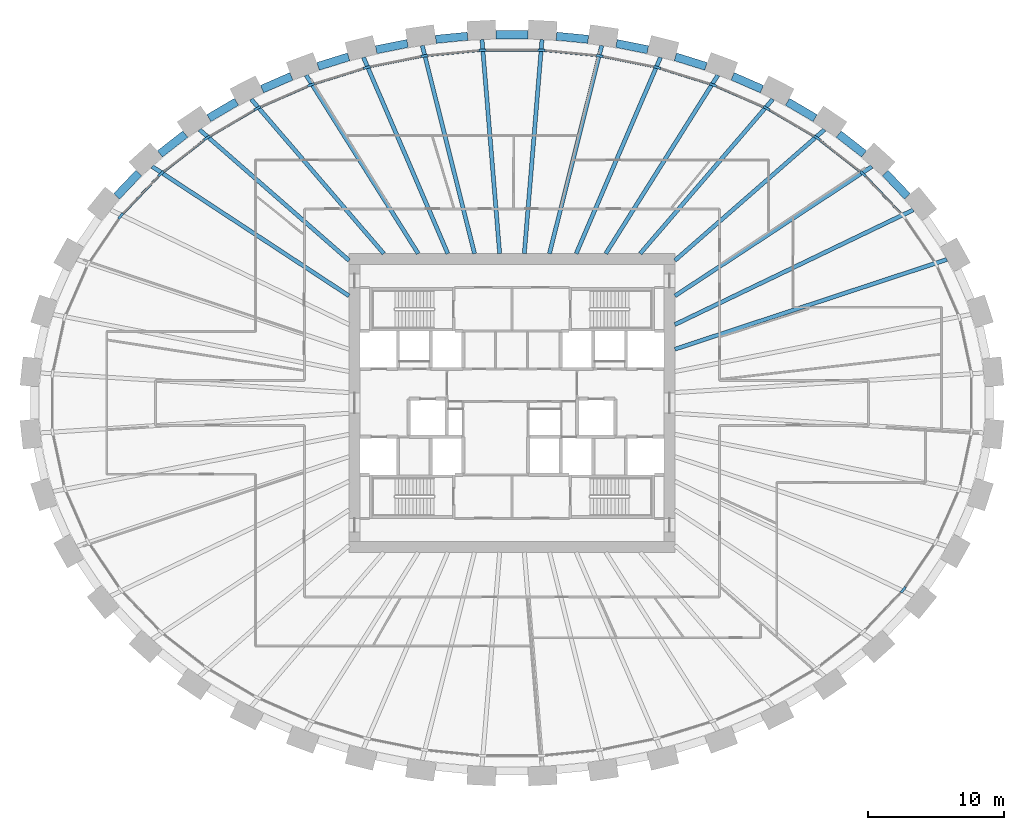
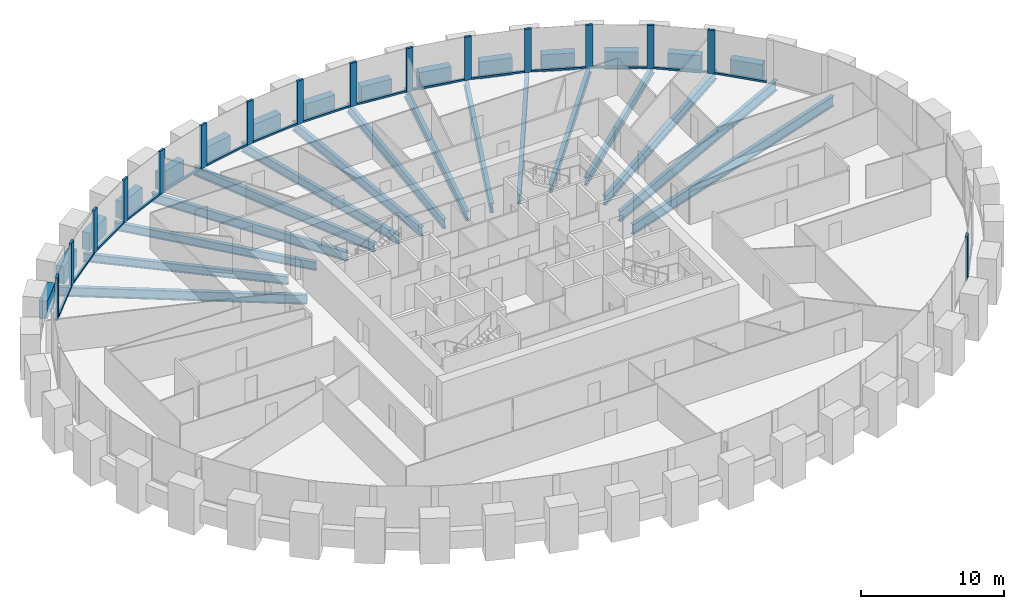
# One storey, part 3 of 11: 31 beams, 31 members, 1 element without a shape of its own.
"""IFC4 building model written with IfcOpenShell, lengths in metres."""

from ifc_helpers import new_model, si_unit, direction, frame, origin, origin_2d, place, context, subcontext, project, spatial, rectangle, i_section, extrude, source, transform, mapped, material, material_profile, profile_set, type_object, element, aggregate, save


model = new_model("IFC4")

# Units and contexts
model_context = context("Model", 3, precision=1e-05, world=origin(), true_north=direction((0.0, 1.0)))
body_context = subcontext(model_context, "Body", "Model", "MODEL_VIEW")
ifc_project = project(units=[si_unit("LENGTHUNIT", "METRE"), si_unit("AREAUNIT", "SQUARE_METRE"), si_unit("VOLUMEUNIT", "CUBIC_METRE"), si_unit("PLANEANGLEUNIT", "RADIAN"), si_unit("MASSUNIT", "GRAM", prefix="KILO")], contexts=[model_context])

# Site, building, storey
site_placement = place(None, origin())
site = spatial("IfcSite", under=ifc_project, at=site_placement, CompositionType="ELEMENT")
building_placement = place(site_placement, origin())
building = spatial("IfcBuilding", under=site, at=building_placement, Name="Embergate Tower", CompositionType="ELEMENT")
storey_placement = place(building_placement, frame((0.0, 0.0, 219.0)))
storey = spatial("IfcBuildingStorey", under=building, at=storey_placement, Name="L50", CompositionType="ELEMENT", Elevation=219.0)

# Beams
ifc_material_1 = material(Name="Concrete C60", Category="concrete")
ifc_material_profile_1 = material_profile(ifc_material_1, rectangle(XDim=0.60009765625, YDim=1.5, at=origin_2d()), Name="RC 600x1500")
ifc_profile_set_1 = profile_set([ifc_material_profile_1], Name="Concrete C60")
beam_type_1 = type_object("IfcBeamType", Name="Spandrel beam RC 600x1500 C60", PredefinedType="BEAM", material=ifc_profile_set_1)
shared_shape_1 = source(origin(), body_context, "Body", "SweptSolid", [
    extrude(rectangle(XDim=0.60009765625, YDim=1.5, at=origin_2d()), origin(), (0.0, 0.0, 1.0), 2.370849609375),
])
for number, where, z_axis, x_axis, name in (
    (1, (29.1240234375, 15.220947265625, 0.0), (-0.690017631866, 0.723792558482, 0.0), (-0.723792558482, -0.690017631866, 0.0), "SPN-L50-03"),
    (2, (-27.488037109375, 16.93701171875, 0.0), (-0.690017631866, -0.723792558482, 0.0), (0.723792558482, -0.690017631866, 0.0), "SPN-L50-17"),
):
    element("IfcBeam", number, at=place(storey_placement, frame(where, z_axis=z_axis, x_axis=x_axis)), inside=storey, type_object=beam_type_1, Name=name, PredefinedType="BEAM", context=body_context, shape_type="MappedRepresentation", body=[
        mapped(shared_shape_1, transform((0.0, 0.0, 0.0))),
    ])
shared_shape_2 = source(origin(), body_context, "Body", "SweptSolid", [
    extrude(rectangle(XDim=0.60009765625, YDim=1.5, at=origin_2d()), origin(), (0.0, 0.0, 1.0), 2.366943359375),
])
for number, where, z_axis, x_axis, name in (
    (3, (25.931884765625, 18.345947265625, 0.0), (-0.788379233054, 0.615189552, 0.0), (-0.615189552, -0.788379233054, 0.0), "SPN-L50-04"),
    (4, (-24.06591796875, 19.802001953125, 0.0), (-0.788379233054, -0.615189552, 0.0), (0.615189552, -0.788379233054, 0.0), "SPN-L50-16"),
):
    element("IfcBeam", number, at=place(storey_placement, frame(where, z_axis=z_axis, x_axis=x_axis)), inside=storey, type_object=beam_type_1, Name=name, PredefinedType="BEAM", context=body_context, shape_type="MappedRepresentation", body=[
        mapped(shared_shape_2, transform((0.0, 0.0, 0.0))),
    ])
shared_shape_3 = source(origin(), body_context, "Body", "SweptSolid", [
    extrude(rectangle(XDim=0.60009765625, YDim=1.5, at=origin_2d()), origin(), (0.0, 0.0, 1.0), 2.36279296875),
])
for number, where, z_axis, x_axis, name in (
    (5, (22.3291015625, 20.98291015625, 0.0), (-0.862170527893, 0.50661818052, 0.0), (-0.50661818052, -0.862170527893, 0.0), "SPN-L50-05"),
    (6, (-20.2919921875, 22.179931640625, 0.0), (-0.862170527893, -0.50661818052, 0.0), (0.50661818052, -0.862170527893, 0.0), "SPN-L50-15"),
):
    element("IfcBeam", number, at=place(storey_placement, frame(where, z_axis=z_axis, x_axis=x_axis)), inside=storey, type_object=beam_type_1, Name=name, PredefinedType="BEAM", context=body_context, shape_type="MappedRepresentation", body=[
        mapped(shared_shape_3, transform((0.0, 0.0, 0.0))),
    ])
shared_shape_4 = source(origin(), body_context, "Body", "SweptSolid", [
    extrude(rectangle(XDim=0.60009765625, YDim=1.5, at=origin_2d()), origin(), (0.0, 0.0, 1.0), 2.357421875),
])
for number, where, z_axis, x_axis, name in (
    (7, (18.4130859375, 23.116943359375, 0.0), (-0.91630938503, 0.400471111201, 0.0), (-0.400471111201, -0.91630938503, 0.0), "SPN-L50-06"),
    (8, (-16.2529296875, 24.06103515625, 0.0), (-0.91630938503, -0.400471111201, 0.0), (0.400471111201, -0.91630938503, 0.0), "SPN-L50-14"),
):
    element("IfcBeam", number, at=place(storey_placement, frame(where, z_axis=z_axis, x_axis=x_axis)), inside=storey, type_object=beam_type_1, Name=name, PredefinedType="BEAM", context=body_context, shape_type="MappedRepresentation", body=[
        mapped(shared_shape_4, transform((0.0, 0.0, 0.0))),
    ])
shared_shape_5 = source(origin(), body_context, "Body", "SweptSolid", [
    extrude(rectangle(XDim=0.60009765625, YDim=1.5, at=origin_2d()), origin(), (0.0, 0.0, 1.0), 2.3564453125),
])
for number, where, z_axis, x_axis, name in (
    (9, (14.285888671875, 24.7958984375, 0.0), (-0.95483326256, 0.297142122073, 0.0), (-0.297142122073, -0.95483326256, 0.0), "SPN-L50-07"),
    (10, (-12.035888671875, 25.49609375, 0.0), (-0.95483326256, -0.297142122073, 0.0), (0.297142122073, -0.95483326256, 0.0), "SPN-L50-13"),
):
    element("IfcBeam", number, at=place(storey_placement, frame(where, z_axis=z_axis, x_axis=x_axis)), inside=storey, type_object=beam_type_1, Name=name, PredefinedType="BEAM", context=body_context, shape_type="MappedRepresentation", body=[
        mapped(shared_shape_5, transform((0.0, 0.0, 0.0))),
    ])
shared_shape_6 = source(origin(), body_context, "Body", "SweptSolid", [
    extrude(rectangle(XDim=0.60009765625, YDim=1.5, at=origin_2d()), origin(), (0.0, 0.0, 1.0), 2.353515625),
])
for number, where, z_axis, x_axis, name in (
    (11, (10.0009765625, 26.01611328125, 0.0), (-0.980552738639, 0.196255768698, 0.0), (-0.196255768698, -0.980552738639, 0.0), "SPN-L50-08"),
    (12, (-7.693115234375, 26.47802734375, 0.0), (-0.980552738639, -0.196255768698, 0.0), (0.196255768698, -0.980552738639, 0.0), "SPN-L50-12"),
):
    element("IfcBeam", number, at=place(storey_placement, frame(where, z_axis=z_axis, x_axis=x_axis)), inside=storey, type_object=beam_type_1, Name=name, PredefinedType="BEAM", context=body_context, shape_type="MappedRepresentation", body=[
        mapped(shared_shape_6, transform((0.0, 0.0, 0.0))),
    ])
shared_shape_7 = source(origin(), body_context, "Body", "SweptSolid", [
    extrude(rectangle(XDim=0.60009765625, YDim=1.5, at=origin_2d()), origin(), (0.0, 0.0, 1.0), 2.353271484375),
])
for number, where, z_axis, x_axis, name in (
    (13, (5.615966796875, 26.7880859375, 0.0), (-0.99521330308, 0.097726564318, 0.0), (-0.097726564318, -0.99521330308, 0.0), "SPN-L50-09"),
    (14, (-3.27392578125, 27.01806640625, 0.0), (-0.99521330308, -0.097726564318, 0.0), (0.097726564318, -0.99521330308, 0.0), "SPN-L50-11"),
):
    element("IfcBeam", number, at=place(storey_placement, frame(where, z_axis=z_axis, x_axis=x_axis)), inside=storey, type_object=beam_type_1, Name=name, PredefinedType="BEAM", context=body_context, shape_type="MappedRepresentation", body=[
        mapped(shared_shape_7, transform((0.0, 0.0, 0.0))),
    ])
shared_shape_8 = source(origin(), body_context, "Body", "SweptSolid", [
    extrude(rectangle(XDim=0.60009765625, YDim=1.5, at=origin_2d()), origin(), (0.0, 0.0, 1.0), 2.35205078125),
])
beam_1_placement = place(storey_placement, frame((1.176025390625, 27.12109375, 0.0), z_axis=(-1.0, 0.0, 0.0), x_axis=(0.0, -1.0, 0.0)))
element("IfcBeam", 15, at=beam_1_placement, inside=storey, type_object=beam_type_1, Name="SPN-L50-10", PredefinedType="BEAM", context=body_context, shape_type="MappedRepresentation", body=[
    mapped(shared_shape_8, transform((0.0, 0.0, 0.0))),
])
ifc_material_2 = material(Name="Steel Q355B", Category="steel")
ifc_material_profile_2 = material_profile(ifc_material_2, i_section(OverallWidth=0.300048828125, OverallDepth=0.89990234375, WebThickness=0.01611328125, FlangeThickness=0.028076171875, FilletRadius=0.028076171875, at=origin_2d()), Name="HN 900x300x16x28")
ifc_profile_set_2 = profile_set([ifc_material_profile_2], Name="Steel Q355 grade B")
beam_type_2 = type_object("IfcBeamType", Name="Radial girder HN 900x300x16x28", PredefinedType="BEAM", material=ifc_profile_set_2)
shared_shape_9 = source(origin(), body_context, "Body", "SweptSolid", [
    extrude(i_section(OverallWidth=0.300048828125, OverallDepth=0.89990234375, WebThickness=0.01611328125, FlangeThickness=0.028076171875, FilletRadius=0.028076171875, at=origin_2d()), origin(), (0.0, 0.0, 1.0), 21.100341796875),
])
beam_2_placement = place(storey_placement, frame((32.0390625, 10.56591796875, -0.64990234375), z_axis=(-0.949698867802, -0.313164590106, 0.0), x_axis=(0.313164590106, -0.949698867802, 0.0)))
element("IfcBeam", 16, at=beam_2_placement, inside=storey, type_object=beam_type_2, Name="GIR-L50-02", PredefinedType="BEAM", context=body_context, shape_type="MappedRepresentation", body=[
    mapped(shared_shape_9, transform((0.0, 0.0, 0.0))),
])
shared_shape_10 = source(origin(), body_context, "Body", "SweptSolid", [
    extrude(i_section(OverallWidth=0.300048828125, OverallDepth=0.89990234375, WebThickness=0.01611328125, FlangeThickness=0.028076171875, FilletRadius=0.028076171875, at=origin_2d()), origin(), (0.0, 0.0, 1.0), 19.480712890625),
])
beam_3_placement = place(storey_placement, frame((29.554931640625, 14.218017578125, -0.64990234375), z_axis=(-0.901148212086, -0.433511130023, 0.0), x_axis=(0.433511130023, -0.901148212086, 0.0)))
element("IfcBeam", 17, at=beam_3_placement, inside=storey, type_object=beam_type_2, Name="GIR-L50-03", PredefinedType="BEAM", context=body_context, shape_type="MappedRepresentation", body=[
    mapped(shared_shape_10, transform((0.0, 0.0, 0.0))),
])
ifc_material_profile_3 = material_profile(ifc_material_2, i_section(OverallWidth=0.300048828125, OverallDepth=0.800048828125, WebThickness=0.013916015625, FlangeThickness=0.02587890625, FilletRadius=0.028076171875, at=origin_2d()), Name="HN 800x300x14x26")
ifc_profile_set_3 = profile_set([ifc_material_profile_3], Name="Steel Q355 grade B")
beam_type_3 = type_object("IfcBeamType", Name="Radial girder HN 800x300x14x26", PredefinedType="BEAM", material=ifc_profile_set_3)
shared_shape_11 = source(origin(), body_context, "Body", "SweptSolid", [
    extrude(i_section(OverallWidth=0.300048828125, OverallDepth=0.800048828125, WebThickness=0.013916015625, FlangeThickness=0.02587890625, FilletRadius=0.028076171875, at=origin_2d()), origin(), (0.0, 0.0, 1.0), 17.3583984375),
])
for number, where, z_axis, x_axis, name in (
    (18, (26.507080078125, 17.416015625, -0.60009765625), (-0.835738306524, -0.549127929547, 0.0), (0.549127929547, -0.835738306524, 0.0), "GIR-L50-04"),
    (19, (-26.507080078125, 17.416015625, -0.60009765625), (0.835738306524, -0.549127929547, 0.0), (0.549127929547, 0.835738306524, 0.0), "GIR-L50-17"),
):
    element("IfcBeam", number, at=place(storey_placement, frame(where, z_axis=z_axis, x_axis=x_axis)), inside=storey, type_object=beam_type_3, Name=name, PredefinedType="BEAM", context=body_context, shape_type="MappedRepresentation", body=[
        mapped(shared_shape_11, transform((0.0, 0.0, 0.0))),
    ])
ifc_material_profile_4 = material_profile(ifc_material_2, i_section(OverallWidth=0.300048828125, OverallDepth=0.699951171875, WebThickness=0.012939453125, FlangeThickness=0.02392578125, FilletRadius=0.01806640625, at=origin_2d()), Name="HN 700x300x13x24")
ifc_profile_set_4 = profile_set([ifc_material_profile_4], Name="Steel Q355 grade B")
beam_type_4 = type_object("IfcBeamType", Name="Radial girder HN 700x300x13x24", PredefinedType="BEAM", material=ifc_profile_set_4)
shared_shape_12 = source(origin(), body_context, "Body", "SweptSolid", [
    extrude(i_section(OverallWidth=0.300048828125, OverallDepth=0.699951171875, WebThickness=0.012939453125, FlangeThickness=0.02392578125, FilletRadius=0.01806640625, at=origin_2d()), origin(), (0.0, 0.0, 1.0), 14.643798828125),
])
for number, where, z_axis, x_axis, name in (
    (20, (23.02294921875, 20.134033203125, -0.550048828125), (-0.752743981282, -0.658313374195, 0.0), (0.658313374195, -0.752743981282, 0.0), "GIR-L50-05"),
    (21, (-23.02294921875, 20.134033203125, -0.550048828125), (0.752743981282, -0.658313374195, 0.0), (0.658313374195, 0.752743981282, 0.0), "GIR-L50-16"),
):
    element("IfcBeam", number, at=place(storey_placement, frame(where, z_axis=z_axis, x_axis=x_axis)), inside=storey, type_object=beam_type_4, Name=name, PredefinedType="BEAM", context=body_context, shape_type="MappedRepresentation", body=[
        mapped(shared_shape_12, transform((0.0, 0.0, 0.0))),
    ])
shared_shape_13 = source(origin(), body_context, "Body", "SweptSolid", [
    extrude(i_section(OverallWidth=0.300048828125, OverallDepth=0.699951171875, WebThickness=0.012939453125, FlangeThickness=0.02392578125, FilletRadius=0.01806640625, at=origin_2d()), origin(), (0.0, 0.0, 1.0), 14.991943359375),
])
for number, where, z_axis, x_axis, name in (
    (22, (19.212890625, 22.3740234375, -0.550048828125), (-0.651471048315, -0.758673495785, 0.0), (0.758673495785, -0.651471048315, 0.0), "GIR-L50-06"),
    (23, (-19.212890625, 22.3740234375, -0.550048828125), (0.651471048315, -0.758673495785, 0.0), (0.758673495785, 0.651471048315, 0.0), "GIR-L50-15"),
):
    element("IfcBeam", number, at=place(storey_placement, frame(where, z_axis=z_axis, x_axis=x_axis)), inside=storey, type_object=beam_type_4, Name=name, PredefinedType="BEAM", context=body_context, shape_type="MappedRepresentation", body=[
        mapped(shared_shape_13, transform((0.0, 0.0, 0.0))),
    ])
shared_shape_14 = source(origin(), body_context, "Body", "SweptSolid", [
    extrude(i_section(OverallWidth=0.300048828125, OverallDepth=0.800048828125, WebThickness=0.013916015625, FlangeThickness=0.02587890625, FilletRadius=0.028076171875, at=origin_2d()), origin(), (0.0, 0.0, 1.0), 15.522216796875),
])
for number, where, z_axis, x_axis, name in (
    (24, (15.1640625, 24.14501953125, -0.60009765625), (-0.531827158809, -0.846852922976, 0.0), (0.846852922976, -0.531827158809, 0.0), "GIR-L50-07"),
    (25, (-15.1640625, 24.14501953125, -0.60009765625), (0.531827158809, -0.846852922976, 0.0), (0.846852922976, 0.531827158809, 0.0), "GIR-L50-14"),
):
    element("IfcBeam", number, at=place(storey_placement, frame(where, z_axis=z_axis, x_axis=x_axis)), inside=storey, type_object=beam_type_3, Name=name, PredefinedType="BEAM", context=body_context, shape_type="MappedRepresentation", body=[
        mapped(shared_shape_14, transform((0.0, 0.0, 0.0))),
    ])
shared_shape_15 = source(origin(), body_context, "Body", "SweptSolid", [
    extrude(i_section(OverallWidth=0.300048828125, OverallDepth=0.800048828125, WebThickness=0.013916015625, FlangeThickness=0.02587890625, FilletRadius=0.028076171875, at=origin_2d()), origin(), (0.0, 0.0, 1.0), 15.739013671875),
])
for number, where, z_axis, x_axis, name in (
    (26, (10.943115234375, 25.4599609375, -0.60009765625), (-0.394883218824, -0.918731322799, 0.0), (0.918731322799, -0.394883218824, 0.0), "GIR-L50-08"),
    (27, (-10.943115234375, 25.4599609375, -0.60009765625), (0.394883218824, -0.918731322799, 0.0), (0.918731322799, 0.394883218824, 0.0), "GIR-L50-13"),
):
    element("IfcBeam", number, at=place(storey_placement, frame(where, z_axis=z_axis, x_axis=x_axis)), inside=storey, type_object=beam_type_3, Name=name, PredefinedType="BEAM", context=body_context, shape_type="MappedRepresentation", body=[
        mapped(shared_shape_15, transform((0.0, 0.0, 0.0))),
    ])
shared_shape_16 = source(origin(), body_context, "Body", "SweptSolid", [
    extrude(i_section(OverallWidth=0.300048828125, OverallDepth=0.800048828125, WebThickness=0.013916015625, FlangeThickness=0.02587890625, FilletRadius=0.028076171875, at=origin_2d()), origin(), (0.0, 0.0, 1.0), 15.8046875),
])
for number, where, z_axis, x_axis, name in (
    (28, (6.60888671875, 26.3291015625, -0.60009765625), (-0.243465990326, -0.969909434718, 0.0), (0.969909434718, -0.243465990326, 0.0), "GIR-L50-09"),
    (29, (-6.60888671875, 26.3291015625, -0.60009765625), (0.243465990326, -0.969909434718, 0.0), (0.969909434718, 0.243465990326, 0.0), "GIR-L50-12"),
):
    element("IfcBeam", number, at=place(storey_placement, frame(where, z_axis=z_axis, x_axis=x_axis)), inside=storey, type_object=beam_type_3, Name=name, PredefinedType="BEAM", context=body_context, shape_type="MappedRepresentation", body=[
        mapped(shared_shape_16, transform((0.0, 0.0, 0.0))),
    ])
shared_shape_17 = source(origin(), body_context, "Body", "SweptSolid", [
    extrude(i_section(OverallWidth=0.300048828125, OverallDepth=0.800048828125, WebThickness=0.013916015625, FlangeThickness=0.02587890625, FilletRadius=0.028076171875, at=origin_2d()), origin(), (0.0, 0.0, 1.0), 15.814697265625),
])
for number, where, z_axis, x_axis, name in (
    (30, (2.2099609375, 26.760986328125, -0.60009765625), (-0.082328727809, -0.99660522805, 0.0), (0.99660522805, -0.082328727809, 0.0), "GIR-L50-10"),
    (31, (-2.2099609375, 26.760986328125, -0.60009765625), (0.082328727809, -0.99660522805, 0.0), (0.99660522805, 0.082328727809, 0.0), "GIR-L50-11"),
):
    element("IfcBeam", number, at=place(storey_placement, frame(where, z_axis=z_axis, x_axis=x_axis)), inside=storey, type_object=beam_type_3, Name=name, PredefinedType="BEAM", context=body_context, shape_type="MappedRepresentation", body=[
        mapped(shared_shape_17, transform((0.0, 0.0, 0.0))),
    ])

# Curtain wall, members
ifc_material_3 = material(Name="Aluminium and glass", Category="aluminium")
curtain_wall_type = type_object("IfcCurtainWallType", Name="Recessed office glazing", PredefinedType="NOTDEFINED", material=ifc_material_3)
curtain_wall_placement = place(storey_placement, origin())
curtain_wall = element("IfcCurtainWall", 32, at=curtain_wall_placement, inside=storey, type_object=curtain_wall_type, Name="Recessed office glazing ring", ObjectType="RECESSED OFFICE GLAZING", PredefinedType="USERDEFINED")
ifc_material_4 = material(Name="Aluminium, thermally broken", Category="aluminium")
ifc_material_profile_5 = material_profile(ifc_material_4, rectangle(XDim=0.179931640625, YDim=0.52001953125, at=origin_2d()), Name="AL 520x180")
ifc_profile_set_5 = profile_set([ifc_material_profile_5], Name="Aluminium, thermally broken")
member_type_1 = type_object("IfcMemberType", Name="Office mullion", PredefinedType="MULLION", material=ifc_profile_set_5)
shared_shape_18 = source(origin(), body_context, "Body", "SweptSolid", [
    extrude(rectangle(XDim=0.179931640625, YDim=0.52001953125, at=origin_2d()), origin(), (0.0, 0.0, 1.0), 3.699951171875),
])
member_1_placement = place(storey_placement, frame((25.86279296875, 16.87451171875, 0.0), z_axis=(0.0, 0.0, 1.0), x_axis=(-0.671227827685, -0.741251106806, 0.0)))
member_1 = element("IfcMember", 33, at=member_1_placement, type_object=member_type_1, Name="CW mullion 5", PredefinedType="MULLION", context=body_context, shape_type="MappedRepresentation", body=[
    mapped(shared_shape_18, transform((0.0, 0.0, 0.0))),
])
member_2_placement = place(storey_placement, frame((22.472412109375, 19.520751953125, 0.0), z_axis=(0.0, 0.0, 1.0), x_axis=(-0.562219061911, -0.826988347211, 0.0)))
member_2 = element("IfcMember", 34, at=member_2_placement, type_object=member_type_1, Name="CW mullion 6", PredefinedType="MULLION", context=body_context, shape_type="MappedRepresentation", body=[
    mapped(shared_shape_18, transform((0.0, 0.0, 0.0))),
])
member_3_placement = place(storey_placement, frame((18.759521484375, 21.70361328125, 0.0), z_axis=(0.0, 0.0, 1.0), x_axis=(-0.454512935162, -0.89074013706, 0.0)))
member_3 = element("IfcMember", 35, at=member_3_placement, type_object=member_type_1, Name="CW mullion 7", PredefinedType="MULLION", context=body_context, shape_type="MappedRepresentation", body=[
    mapped(shared_shape_18, transform((0.0, 0.0, 0.0))),
])
member_4_placement = place(storey_placement, frame((14.80908203125, 23.430908203125, 0.0), z_axis=(0.0, 0.0, 1.0), x_axis=(-0.349504318111, -0.93693475313, 0.0)))
member_4 = element("IfcMember", 36, at=member_4_placement, type_object=member_type_1, Name="CW mullion 8", PredefinedType="MULLION", context=body_context, shape_type="MappedRepresentation", body=[
    mapped(shared_shape_18, transform((0.0, 0.0, 0.0))),
])
member_5_placement = place(storey_placement, frame((10.689453125, 24.7138671875, 0.0), z_axis=(0.0, 0.0, 1.0), x_axis=(-0.247313572481, -0.968935496752, 0.0)))
member_5 = element("IfcMember", 37, at=member_5_placement, type_object=member_type_1, Name="CW mullion 9", PredefinedType="MULLION", context=body_context, shape_type="MappedRepresentation", body=[
    mapped(shared_shape_18, transform((0.0, 0.0, 0.0))),
])
member_6_placement = place(storey_placement, frame((6.456787109375, 25.562744140625, 0.0), z_axis=(0.0, 0.0, 1.0), x_axis=(-0.14741410908, -0.98907486089, 0.0)))
member_6 = element("IfcMember", 38, at=member_6_placement, type_object=member_type_1, Name="CW mullion 10", PredefinedType="MULLION", context=body_context, shape_type="MappedRepresentation", body=[
    mapped(shared_shape_18, transform((0.0, 0.0, 0.0))),
])
member_7_placement = place(storey_placement, frame((2.1591796875, 25.9853515625, 0.0), z_axis=(0.0, 0.0, 1.0), x_axis=(-0.048971796621, -0.998800161762, 0.0)))
member_7 = element("IfcMember", 39, at=member_7_placement, type_object=member_type_1, Name="CW mullion 11", PredefinedType="MULLION", context=body_context, shape_type="MappedRepresentation", body=[
    mapped(shared_shape_18, transform((0.0, 0.0, 0.0))),
])
member_8_placement = place(storey_placement, frame((-2.1591796875, 25.9853515625, 0.0), z_axis=(0.0, 0.0, 1.0), x_axis=(0.048971796621, -0.998800161762, 0.0)))
member_8 = element("IfcMember", 40, at=member_8_placement, type_object=member_type_1, Name="CW mullion 12", PredefinedType="MULLION", context=body_context, shape_type="MappedRepresentation", body=[
    mapped(shared_shape_18, transform((0.0, 0.0, 0.0))),
])
member_9_placement = place(storey_placement, frame((-6.456787109375, 25.562744140625, 0.0), z_axis=(0.0, 0.0, 1.0), x_axis=(0.14741410908, -0.98907486089, 0.0)))
member_9 = element("IfcMember", 41, at=member_9_placement, type_object=member_type_1, Name="CW mullion 13", PredefinedType="MULLION", context=body_context, shape_type="MappedRepresentation", body=[
    mapped(shared_shape_18, transform((0.0, 0.0, 0.0))),
])
member_10_placement = place(storey_placement, frame((-10.689453125, 24.7138671875, 0.0), z_axis=(0.0, 0.0, 1.0), x_axis=(0.247313572481, -0.968935496752, 0.0)))
member_10 = element("IfcMember", 42, at=member_10_placement, type_object=member_type_1, Name="CW mullion 14", PredefinedType="MULLION", context=body_context, shape_type="MappedRepresentation", body=[
    mapped(shared_shape_18, transform((0.0, 0.0, 0.0))),
])
member_11_placement = place(storey_placement, frame((-14.80908203125, 23.430908203125, 0.0), z_axis=(0.0, 0.0, 1.0), x_axis=(0.349504318111, -0.93693475313, 0.0)))
member_11 = element("IfcMember", 43, at=member_11_placement, type_object=member_type_1, Name="CW mullion 15", PredefinedType="MULLION", context=body_context, shape_type="MappedRepresentation", body=[
    mapped(shared_shape_18, transform((0.0, 0.0, 0.0))),
])
member_12_placement = place(storey_placement, frame((-18.759521484375, 21.70361328125, 0.0), z_axis=(0.0, 0.0, 1.0), x_axis=(0.454512935162, -0.89074013706, 0.0)))
member_12 = element("IfcMember", 44, at=member_12_placement, type_object=member_type_1, Name="CW mullion 16", PredefinedType="MULLION", context=body_context, shape_type="MappedRepresentation", body=[
    mapped(shared_shape_18, transform((0.0, 0.0, 0.0))),
])
member_13_placement = place(storey_placement, frame((-22.472412109375, 19.520751953125, 0.0), z_axis=(0.0, 0.0, 1.0), x_axis=(0.562219061911, -0.826988347211, 0.0)))
member_13 = element("IfcMember", 45, at=member_13_placement, type_object=member_type_1, Name="CW mullion 17", PredefinedType="MULLION", context=body_context, shape_type="MappedRepresentation", body=[
    mapped(shared_shape_18, transform((0.0, 0.0, 0.0))),
])
member_14_placement = place(storey_placement, frame((-25.86279296875, 16.87451171875, 0.0), z_axis=(0.0, 0.0, 1.0), x_axis=(0.671227827685, -0.741251106806, 0.0)))
member_14 = element("IfcMember", 46, at=member_14_placement, type_object=member_type_1, Name="CW mullion 18", PredefinedType="MULLION", context=body_context, shape_type="MappedRepresentation", body=[
    mapped(shared_shape_18, transform((0.0, 0.0, 0.0))),
])
member_15_placement = place(storey_placement, frame((-28.826171875, 13.76708984375, 0.0), z_axis=(0.0, 0.0, 1.0), x_axis=(0.777872564355, -0.628422050555, 0.0)))
member_15 = element("IfcMember", 47, at=member_15_placement, type_object=member_type_1, Name="CW mullion 19", PredefinedType="MULLION", context=body_context, shape_type="MappedRepresentation", body=[
    mapped(shared_shape_18, transform((0.0, 0.0, 0.0))),
])
member_16_placement = place(storey_placement, frame((28.826171875, -13.76708984375, 0.0), z_axis=(0.0, 0.0, 1.0), x_axis=(-0.777872564355, 0.628422050555, 0.0)))
member_16 = element("IfcMember", 48, at=member_16_placement, type_object=member_type_1, Name="CW mullion 41", PredefinedType="MULLION", context=body_context, shape_type="MappedRepresentation", body=[
    mapped(shared_shape_18, transform((0.0, 0.0, 0.0))),
])
ifc_material_profile_6 = material_profile(ifc_material_4, rectangle(XDim=0.179931640625, YDim=0.14990234375, at=origin_2d()), Name="AL 150x180")
ifc_profile_set_6 = profile_set([ifc_material_profile_6], Name="Aluminium, thermally broken")
member_type_2 = type_object("IfcMemberType", Name="Office sill transom", PredefinedType="USERDEFINED", material=ifc_profile_set_6)
shared_shape_19 = source(origin(), body_context, "Body", "SweptSolid", [
    extrude(rectangle(XDim=0.179931640625, YDim=0.14990234375, at=origin_2d()), origin(), (0.0, 0.0, 1.0), 3.773681640625),
])
member_17_placement = place(storey_placement, frame((28.646484375, 13.955322265625, 0.074951171875), z_axis=(-0.690118677227, 0.723696214818, 0.0), x_axis=(-0.723696214818, -0.690118677227, 0.0)))
member_17 = element("IfcMember", 49, at=member_17_placement, type_object=member_type_2, Name="CW transom 4.1", ObjectType="TRANSOM", PredefinedType="USERDEFINED", context=body_context, shape_type="MappedRepresentation", body=[
    mapped(shared_shape_19, transform((0.0, 0.0, 0.0))),
])
member_18_placement = place(storey_placement, frame((-26.042236328125, 16.686279296875, 0.074951171875), z_axis=(-0.690118677227, -0.723696214818, 0.0), x_axis=(0.723696214818, -0.690118677227, 0.0)))
member_18 = element("IfcMember", 50, at=member_18_placement, type_object=member_type_2, Name="CW transom 18.1", ObjectType="TRANSOM", PredefinedType="USERDEFINED", context=body_context, shape_type="MappedRepresentation", body=[
    mapped(shared_shape_19, transform((0.0, 0.0, 0.0))),
])
shared_shape_20 = source(origin(), body_context, "Body", "SweptSolid", [
    extrude(rectangle(XDim=0.179931640625, YDim=0.14990234375, at=origin_2d()), origin(), (0.0, 0.0, 1.0), 3.781005859375),
])
member_19_placement = place(storey_placement, frame((25.657958984375, 17.034423828125, 0.074951171875), z_axis=(-0.788315019644, 0.615271834073, 0.0), x_axis=(-0.615271834073, -0.788315019644, 0.0)))
member_19 = element("IfcMember", 51, at=member_19_placement, type_object=member_type_2, Name="CW transom 5.1", ObjectType="TRANSOM", PredefinedType="USERDEFINED", context=body_context, shape_type="MappedRepresentation", body=[
    mapped(shared_shape_20, transform((0.0, 0.0, 0.0))),
])
member_20_placement = place(storey_placement, frame((-22.67724609375, 19.36083984375, 0.074951171875), z_axis=(-0.788315019644, -0.615271834073, 0.0), x_axis=(0.615271834073, -0.788315019644, 0.0)))
member_20 = element("IfcMember", 52, at=member_20_placement, type_object=member_type_2, Name="CW transom 17.1", ObjectType="TRANSOM", PredefinedType="USERDEFINED", context=body_context, shape_type="MappedRepresentation", body=[
    mapped(shared_shape_20, transform((0.0, 0.0, 0.0))),
])
shared_shape_21 = source(origin(), body_context, "Body", "SweptSolid", [
    extrude(rectangle(XDim=0.179931640625, YDim=0.14990234375, at=origin_2d()), origin(), (0.0, 0.0, 1.0), 3.786865234375),
])
member_21_placement = place(storey_placement, frame((22.248046875, 19.652587890625, 0.074951171875), z_axis=(-0.862071738168, 0.506786264862, 0.0), x_axis=(-0.506786264862, -0.862071738168, 0.0)))
member_21 = element("IfcMember", 53, at=member_21_placement, type_object=member_type_2, Name="CW transom 6.1", ObjectType="TRANSOM", PredefinedType="USERDEFINED", context=body_context, shape_type="MappedRepresentation", body=[
    mapped(shared_shape_21, transform((0.0, 0.0, 0.0))),
])
member_22_placement = place(storey_placement, frame((-18.9833984375, 21.57177734375, 0.074951171875), z_axis=(-0.862071738168, -0.506786264862, 0.0), x_axis=(0.506786264862, -0.862071738168, 0.0)))
member_22 = element("IfcMember", 54, at=member_22_placement, type_object=member_type_2, Name="CW transom 16.1", ObjectType="TRANSOM", PredefinedType="USERDEFINED", context=body_context, shape_type="MappedRepresentation", body=[
    mapped(shared_shape_21, transform((0.0, 0.0, 0.0))),
])
shared_shape_22 = source(origin(), body_context, "Body", "SweptSolid", [
    extrude(rectangle(XDim=0.179931640625, YDim=0.14990234375, at=origin_2d()), origin(), (0.0, 0.0, 1.0), 3.79150390625),
])
member_23_placement = place(storey_placement, frame((18.521240234375, 21.807861328125, 0.074951171875), z_axis=(-0.916232688924, 0.400646552146, 0.0), x_axis=(-0.400646552146, -0.916232688924, 0.0)))
member_23 = element("IfcMember", 55, at=member_23_placement, type_object=member_type_2, Name="CW transom 7.1", ObjectType="TRANSOM", PredefinedType="USERDEFINED", context=body_context, shape_type="MappedRepresentation", body=[
    mapped(shared_shape_22, transform((0.0, 0.0, 0.0))),
])
member_24_placement = place(storey_placement, frame((-15.04736328125, 23.326904296875, 0.074951171875), z_axis=(-0.916232688924, -0.400646552146, 0.0), x_axis=(0.400646552146, -0.916232688924, 0.0)))
member_24 = element("IfcMember", 56, at=member_24_placement, type_object=member_type_2, Name="CW transom 15.1", ObjectType="TRANSOM", PredefinedType="USERDEFINED", context=body_context, shape_type="MappedRepresentation", body=[
    mapped(shared_shape_22, transform((0.0, 0.0, 0.0))),
])
shared_shape_23 = source(origin(), body_context, "Body", "SweptSolid", [
    extrude(rectangle(XDim=0.179931640625, YDim=0.14990234375, at=origin_2d()), origin(), (0.0, 0.0, 1.0), 3.794677734375),
])
member_25_placement = place(storey_placement, frame((14.560791015625, 23.50830078125, 0.074951171875), z_axis=(-0.954763453415, 0.297366353213, 0.0), x_axis=(-0.297366353213, -0.954763453415, 0.0)))
member_25 = element("IfcMember", 57, at=member_25_placement, type_object=member_type_2, Name="CW transom 8.1", ObjectType="TRANSOM", PredefinedType="USERDEFINED", context=body_context, shape_type="MappedRepresentation", body=[
    mapped(shared_shape_23, transform((0.0, 0.0, 0.0))),
])
member_26_placement = place(storey_placement, frame((-10.937744140625, 24.63671875, 0.074951171875), z_axis=(-0.954763453415, -0.297366353213, 0.0), x_axis=(0.297366353213, -0.954763453415, 0.0)))
member_26 = element("IfcMember", 58, at=member_26_placement, type_object=member_type_2, Name="CW transom 14.1", ObjectType="TRANSOM", PredefinedType="USERDEFINED", context=body_context, shape_type="MappedRepresentation", body=[
    mapped(shared_shape_23, transform((0.0, 0.0, 0.0))),
])
shared_shape_24 = source(origin(), body_context, "Body", "SweptSolid", [
    extrude(rectangle(XDim=0.179931640625, YDim=0.14990234375, at=origin_2d()), origin(), (0.0, 0.0, 1.0), 3.797119140625),
])
member_27_placement = place(storey_placement, frame((10.4345703125, 24.76513671875, 0.074951171875), z_axis=(-0.980479151748, 0.196623073385, 0.0), x_axis=(-0.196623073385, -0.980479151748, 0.0)))
member_27 = element("IfcMember", 59, at=member_27_placement, type_object=member_type_2, Name="CW transom 9.1", ObjectType="TRANSOM", PredefinedType="USERDEFINED", context=body_context, shape_type="MappedRepresentation", body=[
    mapped(shared_shape_24, transform((0.0, 0.0, 0.0))),
])
member_28_placement = place(storey_placement, frame((-6.711669921875, 25.51171875, 0.074951171875), z_axis=(-0.980479151748, -0.196623073385, 0.0), x_axis=(0.196623073385, -0.980479151748, 0.0)))
member_28 = element("IfcMember", 60, at=member_28_placement, type_object=member_type_2, Name="CW transom 13.1", ObjectType="TRANSOM", PredefinedType="USERDEFINED", context=body_context, shape_type="MappedRepresentation", body=[
    mapped(shared_shape_24, transform((0.0, 0.0, 0.0))),
])
shared_shape_25 = source(origin(), body_context, "Body", "SweptSolid", [
    extrude(rectangle(XDim=0.179931640625, YDim=0.14990234375, at=origin_2d()), origin(), (0.0, 0.0, 1.0), 3.798095703125),
])
member_29_placement = place(storey_placement, frame((6.197998046875, 25.58837890625, 0.074951171875), z_axis=(-0.995202542426, 0.097836085104, 0.0), x_axis=(-0.097836085104, -0.995202542426, 0.0)))
member_29 = element("IfcMember", 61, at=member_29_placement, type_object=member_type_2, Name="CW transom 10.1", ObjectType="TRANSOM", PredefinedType="USERDEFINED", context=body_context, shape_type="MappedRepresentation", body=[
    mapped(shared_shape_25, transform((0.0, 0.0, 0.0))),
])
member_30_placement = place(storey_placement, frame((-2.418212890625, 25.9599609375, 0.074951171875), z_axis=(-0.995202542426, -0.097836085104, 0.0), x_axis=(0.097836085104, -0.995202542426, 0.0)))
member_30 = element("IfcMember", 62, at=member_30_placement, type_object=member_type_2, Name="CW transom 12.1", ObjectType="TRANSOM", PredefinedType="USERDEFINED", context=body_context, shape_type="MappedRepresentation", body=[
    mapped(shared_shape_25, transform((0.0, 0.0, 0.0))),
])
shared_shape_26 = source(origin(), body_context, "Body", "SweptSolid", [
    extrude(rectangle(XDim=0.179931640625, YDim=0.14990234375, at=origin_2d()), origin(), (0.0, 0.0, 1.0), 3.798828125),
])
member_31_placement = place(storey_placement, frame((1.8994140625, 25.9853515625, 0.074951171875), z_axis=(-1.0, 0.0, 0.0), x_axis=(0.0, -1.0, 0.0)))
member_31 = element("IfcMember", 63, at=member_31_placement, type_object=member_type_2, Name="CW transom 11.1", ObjectType="TRANSOM", PredefinedType="USERDEFINED", context=body_context, shape_type="MappedRepresentation", body=[
    mapped(shared_shape_26, transform((0.0, 0.0, 0.0))),
])
aggregate(curtain_wall, [member_1, member_2, member_3, member_4, member_5, member_6, member_7, member_8, member_9, member_10, member_11, member_12, member_13, member_14, member_15, member_16, member_17, member_19, member_21, member_23, member_25, member_27, member_29, member_31, member_30, member_28, member_26, member_24, member_22, member_20, member_18])

save(model, "model.ifc")
